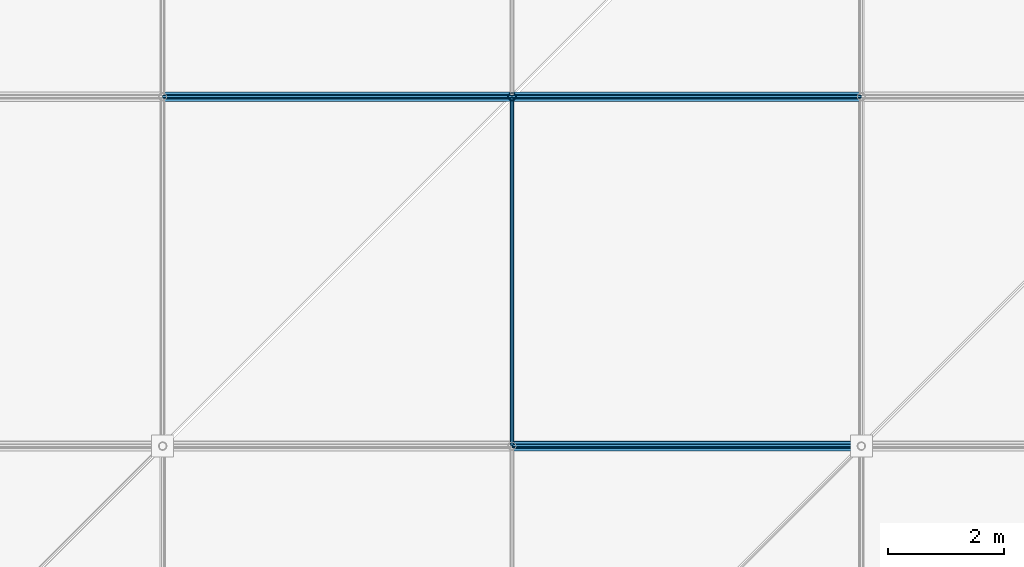
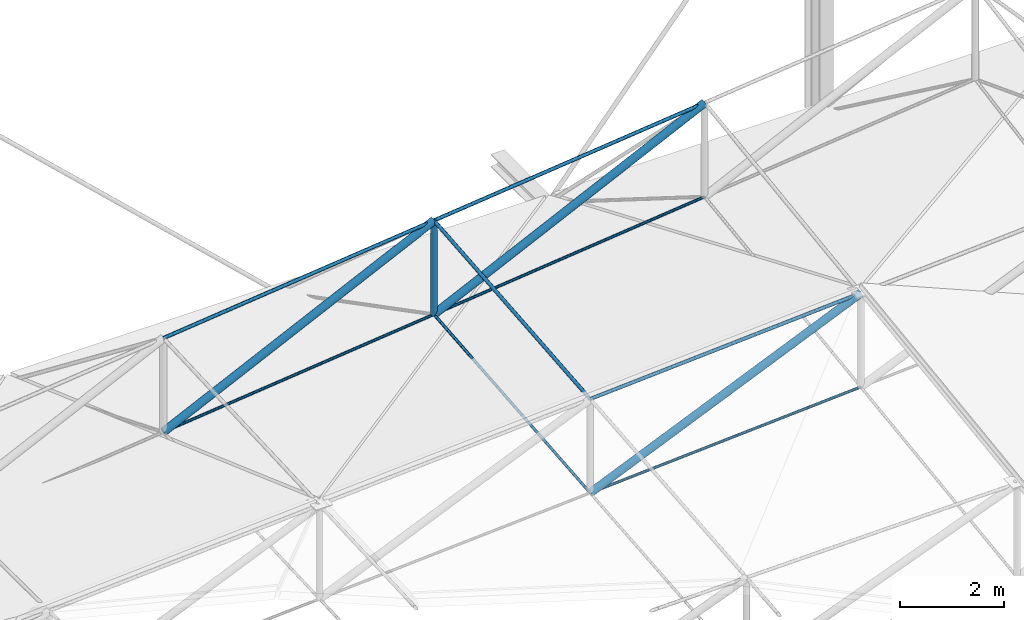
# One storey, part 40 of 132: 12 members.
"""IFC4 building model written with IfcOpenShell, lengths in metres."""

import ifcopenshell
import ifcopenshell.guid

model = None  # the IFC model being written
_history = None  # IfcOwnerHistory: only IFC2X3 demands one
_inside = {}  # id of a spatial element -> (the spatial element, [elements in it])
_under = {}  # id of a project, library or spatial element -> (it, [spatial elements below it])
_declared = {}  # id of a project -> (the project, [libraries it declares])
_typed = {}  # id of a type object -> (the type object, [elements of that type])
_made_of = {}  # id of a material, layer set ... -> (it, [elements and type objects made of it])


def new_model(schema):
    """Start an empty IFC model of exactly this schema.

    Asked for "IFC4X3", IfcOpenShell would pick the latest addendum, in which some entities
    have other attributes; the version numbers below select the first issue.
    IFC2X3 requires an IfcOwnerHistory on every rooted entity: one is made here for all.
    """
    global model, _history
    if schema == "IFC4X3":
        model = ifcopenshell.file(schema_version=(4, 3, 0, 0))
    else:
        model = ifcopenshell.file(schema=schema)
    _inside.clear()
    _under.clear()
    _declared.clear()
    _typed.clear()
    _made_of.clear()
    _history = None
    if model.schema == "IFC2X3":
        org = make("IfcOrganization", Name="unknown")
        user = make(
            "IfcPersonAndOrganization",
            ThePerson=make("IfcPerson", FamilyName="unknown"),
            TheOrganization=org,
        )
        app = make(
            "IfcApplication",
            ApplicationDeveloper=org,
            Version="unknown",
            ApplicationFullName="unknown",
            ApplicationIdentifier="unknown",
        )
        _history = make(
            "IfcOwnerHistory",
            OwningUser=user,
            OwningApplication=app,
            ChangeAction="ADDED",
            CreationDate=0,
        )
    return model


def make(cls, **values):
    """One entity of the class cls with the attributes given. An attribute that is None is left unset."""
    return model.create_entity(
        cls, **{name: value for name, value in values.items() if value is not None}
    )


def rooted(cls, **values):
    """An entity with a GlobalId (a new one), such as an element, a storey or a relation."""
    return make(cls, GlobalId=ifcopenshell.guid.new(), OwnerHistory=_history, **values)


def si_unit(unit_type, name, prefix=None):
    """IfcSIUnit, for example si_unit("LENGTHUNIT", "METRE", prefix="MILLI")."""
    return make("IfcSIUnit", UnitType=unit_type, Prefix=prefix, Name=name)


def assignment(units):
    """IfcUnitAssignment: the units of a project."""
    return None if units is None else make("IfcUnitAssignment", Units=units)


def point(xyz):
    """IfcCartesianPoint."""
    return None if xyz is None else make("IfcCartesianPoint", Coordinates=xyz)


def direction(xyz):
    """IfcDirection."""
    return None if xyz is None else make("IfcDirection", DirectionRatios=xyz)


def frame(location, z_axis=None, x_axis=None):
    """IfcAxis2Placement3D, a coordinate frame: its origin and axes. An axis left out is left unset."""
    return make(
        "IfcAxis2Placement3D",
        Location=point(location),
        Axis=direction(z_axis),
        RefDirection=direction(x_axis),
    )


def frame_2d(location, x_axis=None):
    """IfcAxis2Placement2D, a coordinate frame in the plane: its origin and x axis."""
    return make(
        "IfcAxis2Placement2D", Location=point(location), RefDirection=direction(x_axis)
    )


def origin():
    """The frame at (0, 0, 0) with its axes left unset."""
    return frame((0.0, 0.0, 0.0))


def origin_2d():
    """The frame at (0, 0) in the plane with its x axis left unset."""
    return frame_2d((0.0, 0.0))


def place(relative_to, where):
    """IfcLocalPlacement: puts the frame where relative to a parent placement (None: the world)."""
    return make(
        "IfcLocalPlacement", PlacementRelTo=relative_to, RelativePlacement=where
    )


def context(
    kind, dimensions, precision=None, world=None, true_north=None, identifier=None
):
    """IfcGeometricRepresentationContext, for example the 3D "Model" context."""
    return make(
        "IfcGeometricRepresentationContext",
        ContextIdentifier=identifier,
        ContextType=kind,
        CoordinateSpaceDimension=dimensions,
        Precision=precision,
        WorldCoordinateSystem=world,
        TrueNorth=true_north,
    )


def subcontext(parent, identifier, kind, view, scale=None):
    """IfcGeometricRepresentationSubContext, for example "Body" below "Model"."""
    return make(
        "IfcGeometricRepresentationSubContext",
        ContextIdentifier=identifier,
        ContextType=kind,
        ParentContext=parent,
        TargetScale=scale,
        TargetView=view,
    )


def project(units=None, contexts=None):
    """IfcProject with its units and contexts."""
    return rooted(
        "IfcProject",
        Name="project",
        RepresentationContexts=contexts,
        UnitsInContext=assignment(units),
    )


def spatial(cls, under=None, at=None, **own):
    """A site, building, storey or space (cls), placed at a placement, below another one or the project."""
    s = rooted(cls, ObjectPlacement=at, **own)
    if under is not None:
        _under.setdefault(under.id(), (under, []))[1].append(s)
    return s


def profile(cls, at=None, kind="AREA", **sizes):
    """A parametric profile (cls). Its sizes go by their IFC names, for example OverallWidth=200.0."""
    return make(cls, ProfileType=kind, Position=at, **sizes)


def circle(**sizes):
    """IfcCircleProfileDef."""
    return profile("IfcCircleProfileDef", **sizes)


def hollow_circle(**sizes):
    """IfcCircleHollowProfileDef."""
    return profile("IfcCircleHollowProfileDef", **sizes)


def extrude(swept, where, along, depth):
    """IfcExtrudedAreaSolid: the profile swept, set in the frame where, extruded along a direction by depth."""
    return make(
        "IfcExtrudedAreaSolid",
        SweptArea=swept,
        Position=where,
        ExtrudedDirection=direction(along),
        Depth=depth,
    )


def shape(context_of_items, identifier, shape_type, items):
    """IfcShapeRepresentation: the items that make up one representation, for example the "Body"."""
    return make(
        "IfcShapeRepresentation",
        ContextOfItems=context_of_items,
        RepresentationIdentifier=identifier,
        RepresentationType=shape_type,
        Items=items,
    )


def material(Name=None, Category=None):
    """IfcMaterial."""
    return make("IfcMaterial", Name=Name, Category=Category)


def material_profile(
    of_material, cross_section, Name=None, Category=None, Priority=None
):
    """IfcMaterialProfile: a cross section and its material."""
    return make(
        "IfcMaterialProfile",
        Name=Name,
        Material=of_material,
        Profile=cross_section,
        Priority=Priority,
        Category=Category,
    )


def profile_set(profiles, Name=None, composite=None):
    """IfcMaterialProfileSet."""
    return make(
        "IfcMaterialProfileSet",
        Name=Name,
        MaterialProfiles=profiles,
        CompositeProfile=composite,
    )


def made_of(thing, what):
    """Note that an element or type object is made of a material, layer set ...; save() writes the relation."""
    if what is not None:
        _made_of.setdefault(what.id(), (what, []))[1].append(thing)
    return thing


def type_object(cls, material=None, **own):
    """A type object (cls), such as IfcWallType, which elements share."""
    return made_of(rooted(cls, **own), material)


def element(
    cls,
    number,
    at=None,
    inside=None,
    cuts=None,
    type_object=None,
    material=None,
    context=None,
    identifier="Body",
    shape_type=None,
    held_by="IfcProductDefinitionShape",
    body=None,
    shapes=None,
    **own,
):
    """One element of the class cls, such as IfcWall. Its Tag is "e" and its number.

    at: its placement. inside: the storey or other place that contains it. cuts: it is an
    opening in that element (IfcRelVoidsElement). A single representation is given by context,
    identifier, shape_type and body (its items); several are given by shapes. held_by: the class
    of the entity that holds the representations. save() writes the other relations.
    """
    e = rooted(cls, Tag="e%d" % number, ObjectPlacement=at, **own)
    if body is not None:
        shapes = [shape(context, identifier, shape_type, body)]
    if shapes is not None:
        e.Representation = make(held_by, Representations=shapes)
    if inside is not None:
        _inside.setdefault(inside.id(), (inside, []))[1].append(e)
    if cuts is not None:
        rooted(
            "IfcRelVoidsElement", RelatingBuildingElement=cuts, RelatedOpeningElement=e
        )
    if type_object is not None:
        _typed.setdefault(type_object.id(), (type_object, []))[1].append(e)
    return made_of(e, material)


def aggregate(whole, parts):
    """IfcRelAggregates: a whole, such as a stair, and the parts it consists of."""
    return rooted("IfcRelAggregates", RelatingObject=whole, RelatedObjects=parts)


def save(model, path):
    """Write the relations noted so far, then the file.

    IfcRelAggregates (storeys below a building ...), IfcRelContainedInSpatialStructure (elements
    in a storey), IfcRelDefinesByType, IfcRelAssociatesMaterial and IfcRelDeclares: one each for
    every whole, place, type object, material and project.
    """
    for whole, parts in _under.values():
        aggregate(whole, parts)
    for where, things in _inside.values():
        rooted(
            "IfcRelContainedInSpatialStructure",
            RelatedElements=things,
            RelatingStructure=where,
        )
    for kind, things in _typed.values():
        rooted("IfcRelDefinesByType", RelatedObjects=things, RelatingType=kind)
    for what, things in _made_of.values():
        rooted("IfcRelAssociatesMaterial", RelatedObjects=things, RelatingMaterial=what)
    for by, libraries in _declared.values():
        rooted("IfcRelDeclares", RelatingContext=by, RelatedDefinitions=libraries)
    model.write(path)


model = new_model("IFC4")

# Units and contexts
model_context = context("Model", 3, precision=1e-05, world=origin(), true_north=direction((0.0, 1.0)))
body_context = subcontext(model_context, "Body", "Model", "MODEL_VIEW")
ifc_project = project(units=[si_unit("LENGTHUNIT", "METRE"), si_unit("AREAUNIT", "SQUARE_METRE"), si_unit("VOLUMEUNIT", "CUBIC_METRE"), si_unit("PLANEANGLEUNIT", "RADIAN"), si_unit("MASSUNIT", "GRAM", prefix="KILO")], contexts=[model_context])

# Site, building, storey
site_placement = place(None, origin())
site = spatial("IfcSite", under=ifc_project, at=site_placement, CompositionType="ELEMENT")
building_placement = place(site_placement, origin())
building = spatial("IfcBuilding", under=site, at=building_placement, Name="Deido Ridge Mobility Hub", CompositionType="ELEMENT")
storey_placement = place(building_placement, frame((0.0, 0.0, 8.39990234375)))
storey = spatial("IfcBuildingStorey", under=building, at=storey_placement, Name="L02", CompositionType="ELEMENT", Elevation=8.39990234375)

# Members
ifc_material_1 = material(Name="Steel S460M EN 10025-4", Category="steel")
ifc_material_profile_1 = material_profile(ifc_material_1, circle(Radius=0.030029296875, at=origin_2d()), Name="CABLE D60")
ifc_profile_set_1 = profile_set([ifc_material_profile_1], Name="Steel S460M EN 10025-4")
member_type_1 = type_object("IfcMemberType", Name="MEM-CBL-D60", PredefinedType="USERDEFINED", material=ifc_profile_set_1)
member_1_placement = place(storey_placement, frame((42.0, 24.0, 2.56689453125), z_axis=(0.997965676134, 0.0, 0.063753503887), x_axis=(0.0, 1.0, 0.0)))
element("IfcMember", 1, at=member_1_placement, inside=storey, type_object=member_type_1, Name="Saddle lower stabilizing cable CB3", ObjectType="TENSION CABLE", PredefinedType="USERDEFINED", context=body_context, shape_type="SweptSolid", body=[
    extrude(circle(Radius=0.030029296875, at=origin_2d()), origin(), (0.0, 0.0, 1.0), 6.01220703125),
])
for number, where, z_axis, x_axis, name in (
    (2, (36.0, 30.0, 2.456787109375), (0.994067319173, 0.0, 0.108766561737), (0.0, 1.0, 0.0), "Saddle lower stabilizing cable CB3"),
    (3, (42.0, 30.0, 3.11328125), (0.994062945023, 0.0, 0.108806531661), (0.0, 1.0, 0.0), "Saddle lower stabilizing cable CB3"),
):
    element("IfcMember", number, at=place(storey_placement, frame(where, z_axis=z_axis, x_axis=x_axis)), inside=storey, type_object=member_type_1, Name=name, ObjectType="TENSION CABLE", PredefinedType="USERDEFINED", context=body_context, shape_type="SweptSolid", body=[
        extrude(circle(Radius=0.030029296875, at=origin_2d()), origin(), (0.0, 0.0, 1.0), 6.035888671875),
    ])
member_2_placement = place(storey_placement, frame((42.0, 24.0, 2.56689453125), z_axis=(0.0, 0.9958792443, 0.090689198761), x_axis=(-1.0, 0.0, 0.0)))
element("IfcMember", 4, at=member_2_placement, inside=storey, type_object=member_type_1, Name="Saddle transverse valley cable CB3", ObjectType="TENSION CABLE", PredefinedType="USERDEFINED", context=body_context, shape_type="SweptSolid", body=[
    extrude(circle(Radius=0.030029296875, at=origin_2d()), origin(), (0.0, 0.0, 1.0), 6.02490234375),
])
ifc_material_profile_2 = material_profile(ifc_material_1, circle(Radius=0.0380859375, at=origin_2d()), Name="CABLE D76")
ifc_profile_set_2 = profile_set([ifc_material_profile_2], Name="Steel S460M EN 10025-4")
member_type_2 = type_object("IfcMemberType", Name="MEM-CBL-D76", PredefinedType="USERDEFINED", material=ifc_profile_set_2)
member_3_placement = place(storey_placement, frame((42.0, 24.0, 4.766845703125), z_axis=(0.997965676134, 0.0, 0.063753503887), x_axis=(0.0, 1.0, 0.0)))
element("IfcMember", 5, at=member_3_placement, inside=storey, type_object=member_type_2, Name="Saddle upper longitudinal cable CB2", ObjectType="TENSION CABLE", PredefinedType="USERDEFINED", context=body_context, shape_type="SweptSolid", body=[
    extrude(circle(Radius=0.0380859375, at=origin_2d()), origin(), (0.0, 0.0, 1.0), 6.01220703125),
])
for number, where, z_axis, x_axis, name in (
    (6, (36.0, 30.0, 4.65673828125), (0.994062945023, 0.0, 0.108806531661), (0.0, 1.0, 0.0), "Saddle upper longitudinal cable CB2"),
    (7, (42.0, 30.0, 5.3134765625), (0.994062945023, 0.0, 0.108806531661), (0.0, 1.0, 0.0), "Saddle upper longitudinal cable CB2"),
):
    element("IfcMember", number, at=place(storey_placement, frame(where, z_axis=z_axis, x_axis=x_axis)), inside=storey, type_object=member_type_2, Name=name, ObjectType="TENSION CABLE", PredefinedType="USERDEFINED", context=body_context, shape_type="SweptSolid", body=[
        extrude(circle(Radius=0.0380859375, at=origin_2d()), origin(), (0.0, 0.0, 1.0), 6.035888671875),
    ])
member_4_placement = place(storey_placement, frame((42.0, 24.0, 4.766845703125), z_axis=(0.0, 0.9958755837, 0.090729387691), x_axis=(-1.0, 0.0, 0.0)))
element("IfcMember", 8, at=member_4_placement, inside=storey, type_object=member_type_2, Name="Saddle transverse ridge cable CB2", ObjectType="TENSION CABLE", PredefinedType="USERDEFINED", context=body_context, shape_type="SweptSolid", body=[
    extrude(circle(Radius=0.0380859375, at=origin_2d()), origin(), (0.0, 0.0, 1.0), 6.02490234375),
])
ifc_material_2 = material(Name="Steel S355J2H EN 10210-1", Category="steel")
ifc_material_profile_3 = material_profile(ifc_material_2, hollow_circle(Radius=0.06982421875, WallThickness=0.00634765625, at=origin_2d()), Name="CHS 139.7x6.3")
ifc_profile_set_3 = profile_set([ifc_material_profile_3], Name="Steel S355J2H EN 10210-1")
member_type_3 = type_object("IfcMemberType", Name="MEM-STR-CHS140", PredefinedType="STRUT", material=ifc_profile_set_3)
member_5_placement = place(storey_placement, frame((42.0, 30.0, 3.11328125), z_axis=(0.0, 0.0, 1.0), x_axis=(1.0, 0.0, 0.0)))
element("IfcMember", 9, at=member_5_placement, inside=storey, type_object=member_type_3, Name="Cable-net vertical spreader strut SR2", PredefinedType="STRUT", context=body_context, shape_type="SweptSolid", body=[
    extrude(hollow_circle(Radius=0.06982421875, WallThickness=0.00634765625, at=origin_2d()), origin(), (0.0, 0.0, 1.0), 2.2001953125),
])
ifc_material_profile_4 = material_profile(ifc_material_2, hollow_circle(Radius=0.084228515625, WallThickness=0.008056640625, at=origin_2d()), Name="CHS 168.3x8")
ifc_profile_set_4 = profile_set([ifc_material_profile_4], Name="Steel S355J2H EN 10210-1")
member_type_4 = type_object("IfcMemberType", Name="MEM-STR-CHS168", PredefinedType="STRUT", material=ifc_profile_set_4)
member_6_placement = place(storey_placement, frame((42.0, 24.0, 2.56689453125), z_axis=(0.91848843506, 0.0, 0.395447840632), x_axis=(0.0, 1.0, 0.0)))
element("IfcMember", 10, at=member_6_placement, inside=storey, type_object=member_type_4, Name="Saddle diagonal web strut SR1", PredefinedType="STRUT", context=body_context, shape_type="SweptSolid", body=[
    extrude(hollow_circle(Radius=0.084228515625, WallThickness=0.008056640625, at=origin_2d()), origin(), (0.0, 0.0, 1.0), 6.532470703125),
])
member_7_placement = place(storey_placement, frame((36.0, 30.0, 2.456787109375), z_axis=(0.902887001475, 0.0, 0.429877962413), x_axis=(0.0, 1.0, 0.0)))
element("IfcMember", 11, at=member_7_placement, inside=storey, type_object=member_type_4, Name="Saddle diagonal web strut SR1", PredefinedType="STRUT", context=body_context, shape_type="SweptSolid", body=[
    extrude(hollow_circle(Radius=0.084228515625, WallThickness=0.008056640625, at=origin_2d()), origin(), (0.0, 0.0, 1.0), 6.645263671875),
])
member_8_placement = place(storey_placement, frame((42.0, 30.0, 3.11328125), z_axis=(0.902872741818, 0.0, 0.429907911164), x_axis=(0.0, 1.0, 0.0)))
element("IfcMember", 12, at=member_8_placement, inside=storey, type_object=member_type_4, Name="Saddle diagonal web strut SR1", PredefinedType="STRUT", context=body_context, shape_type="SweptSolid", body=[
    extrude(hollow_circle(Radius=0.084228515625, WallThickness=0.008056640625, at=origin_2d()), origin(), (0.0, 0.0, 1.0), 6.6455078125),
])

save(model, "model.ifc")
